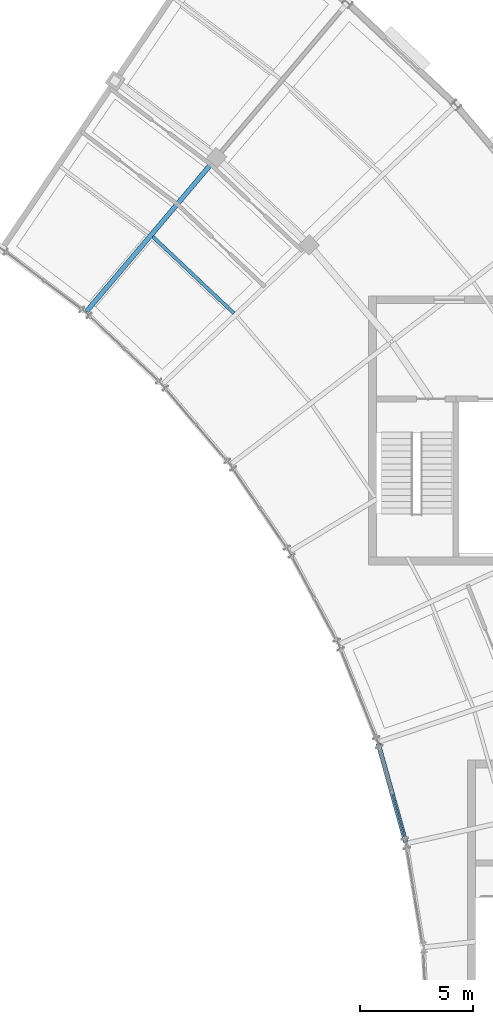
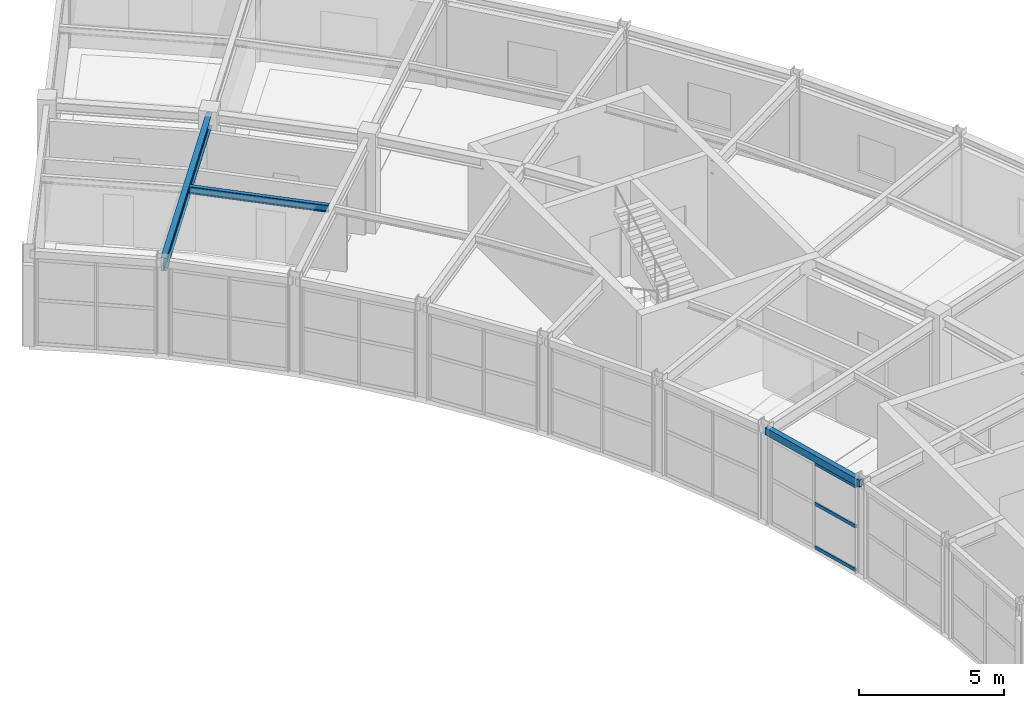
# One storey, part 9 of 29: 3 beams, 3 members, 1 element without a shape of its own.
"""IFC4 building model written with IfcOpenShell, lengths in metres."""

from ifc_helpers import new_model, si_unit, direction, frame, origin, origin_2d, place, context, subcontext, project, spatial, hollow_rectangle, i_section, extrude, material, material_profile, profile_set, type_object, element, aggregate, save


model = new_model("IFC4")

# Units and contexts
model_context = context("Model", 3, precision=1e-05, world=origin(), true_north=direction((0.0, 1.0)))
body_context = subcontext(model_context, "Body", "Model", "MODEL_VIEW")
ifc_project = project(units=[si_unit("LENGTHUNIT", "METRE"), si_unit("AREAUNIT", "SQUARE_METRE"), si_unit("VOLUMEUNIT", "CUBIC_METRE"), si_unit("PLANEANGLEUNIT", "RADIAN"), si_unit("MASSUNIT", "GRAM", prefix="KILO")], contexts=[model_context])

# Site, building, storey
site_placement = place(None, origin())
site = spatial("IfcSite", under=ifc_project, at=site_placement, CompositionType="ELEMENT")
building_placement = place(site_placement, origin())
building = spatial("IfcBuilding", under=site, at=building_placement, Name="Tarnveldt Headland Concert Hall", CompositionType="ELEMENT")
storey_placement = place(building_placement, frame((0.0, 0.0, 18.60009765625)))
storey = spatial("IfcBuildingStorey", under=building, at=storey_placement, Name="L04", CompositionType="ELEMENT", Elevation=18.60009765625)

# Beams
ifc_material_1 = material(Name="Steel S355", Category="steel")
ifc_material_profile_1 = material_profile(ifc_material_1, i_section(OverallWidth=0.14990234375, OverallDepth=0.300048828125, WebThickness=0.007080078125, FlangeThickness=0.0107421875, FilletRadius=0.014892578125, at=origin_2d()), Name="IPE300", Category="steel")
ifc_profile_set_1 = profile_set([ifc_material_profile_1], Name="Steel S355")
beam_type_1 = type_object("IfcBeamType", Name="SB-IPE300", PredefinedType="JOIST", material=ifc_profile_set_1)
beam_1_placement = place(storey_placement, frame((151.84716796875, 92.80224609375, 3.829833984375), z_axis=(-0.727367617493, 0.686248022965, 0.0), x_axis=(-0.686248022965, -0.727367617493, 0.0)))
element("IfcBeam", 1, at=beam_1_placement, inside=storey, type_object=beam_type_1, Name="Framing beam L04-1409", PredefinedType="JOIST", context=body_context, shape_type="SweptSolid", body=[
    extrude(i_section(OverallWidth=0.14990234375, OverallDepth=0.300048828125, WebThickness=0.007080078125, FlangeThickness=0.0107421875, FilletRadius=0.014892578125, at=origin_2d()), origin(), (0.0, 0.0, 1.0), 4.94580078125),
])
ifc_material_profile_2 = material_profile(ifc_material_1, i_section(OverallWidth=0.2099609375, OverallDepth=0.550048828125, WebThickness=0.010986328125, FlangeThickness=0.01708984375, FilletRadius=0.02392578125, at=origin_2d()), Name="IPE550", Category="steel")
ifc_profile_set_2 = profile_set([ifc_material_profile_2], Name="Steel S355")
beam_type_2 = type_object("IfcBeamType", Name="SB-IPE550", PredefinedType="BEAM", material=ifc_profile_set_2)
beam_2_placement = place(storey_placement, frame((145.30615234375, 92.87841796875, 3.704833984375), z_axis=(0.645759819996, 0.763540604604, 0.0), x_axis=(-0.763540604604, 0.645759819996, 0.0)))
element("IfcBeam", 2, at=beam_2_placement, inside=storey, type_object=beam_type_2, Name="Framing beam L04-1411", PredefinedType="BEAM", context=body_context, shape_type="SweptSolid", body=[
    extrude(i_section(OverallWidth=0.2099609375, OverallDepth=0.550048828125, WebThickness=0.010986328125, FlangeThickness=0.01708984375, FilletRadius=0.02392578125, at=origin_2d()), origin(), (0.0, 0.0, 1.0), 8.880126953125),
])
ifc_material_profile_3 = material_profile(ifc_material_1, hollow_rectangle(XDim=0.199951171875, YDim=0.300048828125, WallThickness=0.012451171875, at=origin_2d()), Name="RHS 300x200x12.5", Category="steel")
ifc_profile_set_3 = profile_set([ifc_material_profile_3], Name="Steel S355")
beam_type_3 = type_object("IfcBeamType", Name="SB-RHS300", PredefinedType="SPANDREL", material=ifc_profile_set_3)
beam_3_placement = place(storey_placement, frame((159.4736328125, 69.323974609375, 3.829833984375), z_axis=(-0.268169932327, 0.963371624761, 0.0), x_axis=(-0.963371624761, -0.268169932327, 0.0)))
element("IfcBeam", 3, at=beam_3_placement, inside=storey, type_object=beam_type_3, Name="Framing beam L04-1372", PredefinedType="SPANDREL", context=body_context, shape_type="SweptSolid", body=[
    extrude(hollow_rectangle(XDim=0.199951171875, YDim=0.300048828125, WallThickness=0.012451171875, at=origin_2d()), origin(), (0.0, 0.0, 1.0), 4.54736328125),
])

# Curtain wall, members
ifc_material_2 = material(Name="Marine-anodised aluminium EN AW-6063-T6", Category="aluminium")
curtain_wall_type = type_object("IfcCurtainWallType", Name="CW-C5", PredefinedType="NOTDEFINED", material=ifc_material_2)
curtain_wall_placement = place(storey_placement, origin())
curtain_wall = element("IfcCurtainWall", 4, at=curtain_wall_placement, inside=storey, type_object=curtain_wall_type, Name="Curtain wall CW-L04-149", PredefinedType="NOTDEFINED")
ifc_material_profile_4 = material_profile(ifc_material_2, hollow_rectangle(XDim=0.06494140625, YDim=0.139892578125, WallThickness=0.00390625, at=origin_2d()), Name="ALU TRANSOM 65x140x4", Category="aluminium")
ifc_profile_set_4 = profile_set([ifc_material_profile_4], Name="Marine-anodised aluminium EN AW-6063-T6")
member_type = type_object("IfcMemberType", Name="TR-140", PredefinedType="MEMBER", material=ifc_profile_set_4)
member_1_placement = place(storey_placement, frame((159.4072265625, 69.56201171875, 0.0498046875), z_axis=(-0.268037189163, 0.963408566095, 0.0), x_axis=(-0.963408566095, -0.268037189163, 0.0)))
member_1 = element("IfcMember", 5, at=member_1_placement, type_object=member_type, Name="Transom CW-L04-149-1-1", PredefinedType="MEMBER", context=body_context, shape_type="SweptSolid", body=[
    extrude(hollow_rectangle(XDim=0.06494140625, YDim=0.139892578125, WallThickness=0.00390625, at=origin_2d()), origin(), (0.0, 0.0, 1.0), 1.984619140625),
])
member_2_placement = place(storey_placement, frame((159.4072265625, 69.56201171875, 1.88232421875), z_axis=(-0.268037189163, 0.963408566095, 0.0), x_axis=(-0.963408566095, -0.268037189163, 0.0)))
member_2 = element("IfcMember", 6, at=member_2_placement, type_object=member_type, Name="Transom CW-L04-149-1-2", PredefinedType="MEMBER", context=body_context, shape_type="SweptSolid", body=[
    extrude(hollow_rectangle(XDim=0.06494140625, YDim=0.139892578125, WallThickness=0.00390625, at=origin_2d()), origin(), (0.0, 0.0, 1.0), 1.984619140625),
])
member_3_placement = place(storey_placement, frame((159.4072265625, 69.56201171875, 3.56982421875), z_axis=(-0.268037189163, 0.963408566095, 0.0), x_axis=(-0.963408566095, -0.268037189163, 0.0)))
member_3 = element("IfcMember", 7, at=member_3_placement, type_object=member_type, Name="Transom CW-L04-149-1-3", PredefinedType="MEMBER", context=body_context, shape_type="SweptSolid", body=[
    extrude(hollow_rectangle(XDim=0.06494140625, YDim=0.139892578125, WallThickness=0.00390625, at=origin_2d()), origin(), (0.0, 0.0, 1.0), 1.984619140625),
])
aggregate(curtain_wall, [member_1, member_2, member_3])

save(model, "model.ifc")
